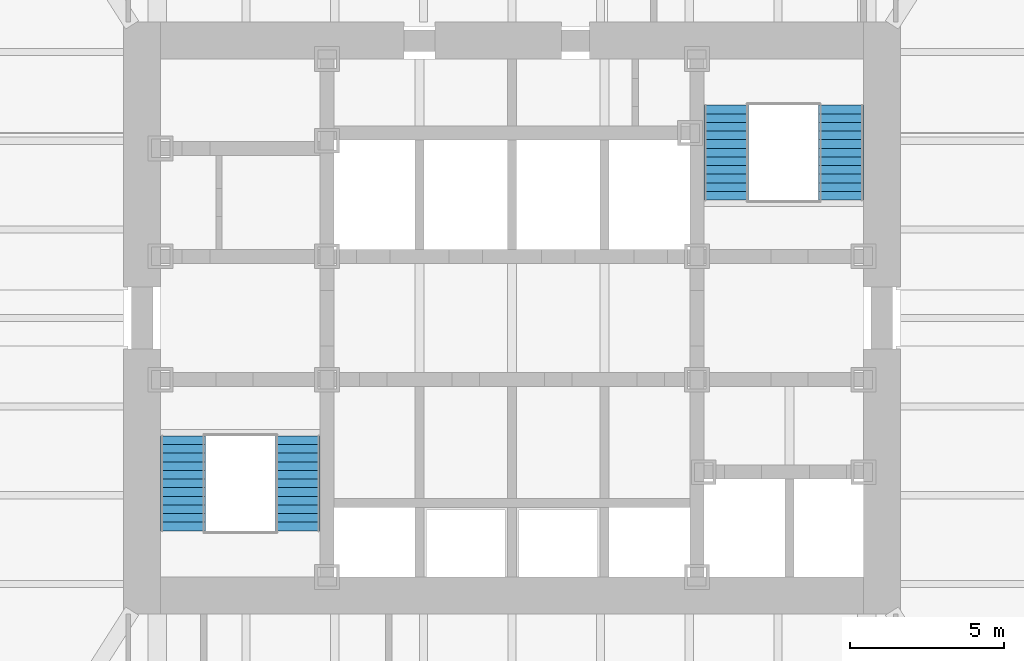
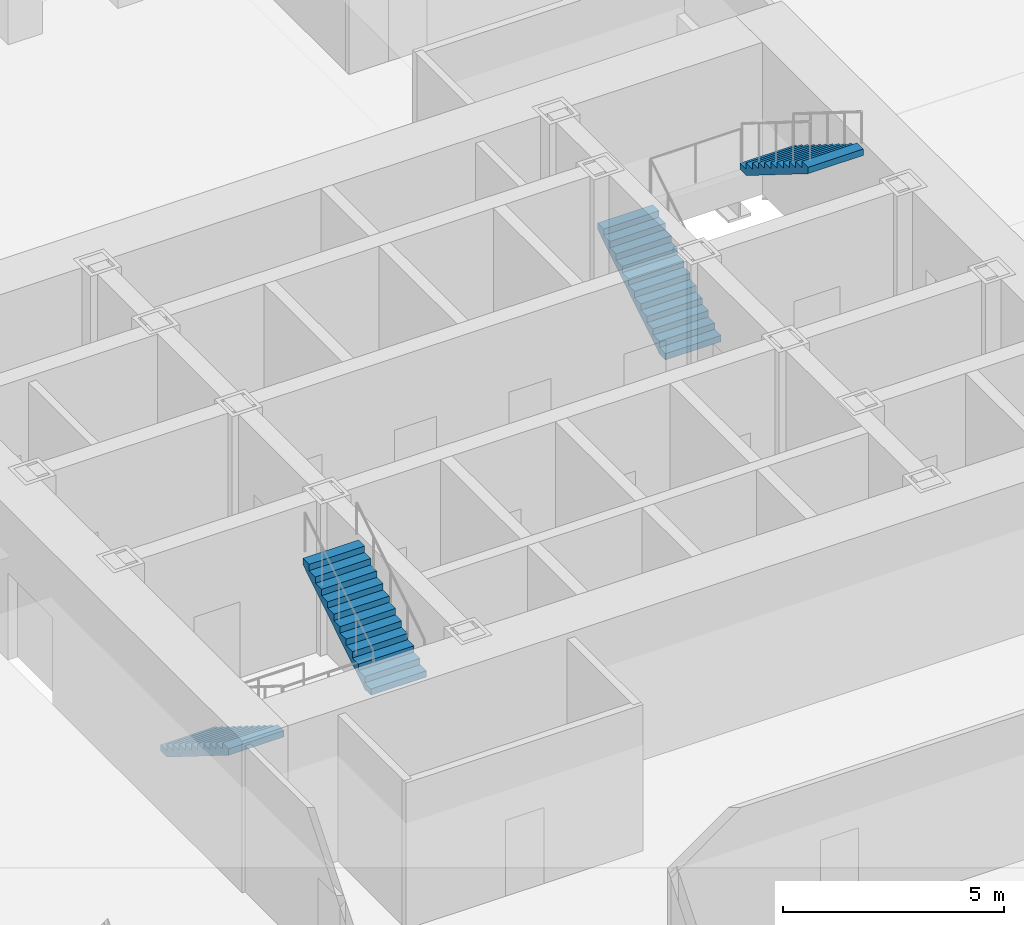
# One storey, part 11 of 17: 4 stair flights, 2 elements without a shape of their own.
"""IFC4 building model written with IfcOpenShell, lengths in metres."""

from ifc_helpers import new_model, si_unit, direction, frame, origin, place, context, subcontext, project, spatial, polyline, outline, extrude, material, type_object, element, aggregate, save


model = new_model("IFC4")

# Units and contexts
model_context = context("Model", 3, precision=1e-05, world=origin(), true_north=direction((0.0, 1.0)))
body_context = subcontext(model_context, "Body", "Model", "MODEL_VIEW")
ifc_project = project(units=[si_unit("LENGTHUNIT", "METRE"), si_unit("AREAUNIT", "SQUARE_METRE"), si_unit("VOLUMEUNIT", "CUBIC_METRE"), si_unit("PLANEANGLEUNIT", "RADIAN"), si_unit("MASSUNIT", "GRAM", prefix="KILO")], contexts=[model_context])

# Site, building, storey
site_placement = place(None, origin())
site = spatial("IfcSite", under=ifc_project, at=site_placement, CompositionType="ELEMENT")
building_placement = place(site_placement, origin())
building = spatial("IfcBuilding", under=site, at=building_placement, Name="Daluyong Arena Tower", CompositionType="ELEMENT")
storey_placement = place(building_placement, frame((0.0, 0.0, 145.89990234375)))
storey = spatial("IfcBuildingStorey", under=building, at=storey_placement, Name="L32", CompositionType="ELEMENT", Elevation=145.89990234375)

# Stair, stair flights
ifc_material_1 = material(Name="Concrete fc' 35 MPa", Category="concrete")
stair_type = type_object("IfcStairType", Name="Core exit stair", PredefinedType="HALF_TURN_STAIR", material=ifc_material_1)
stair_1_placement = place(storey_placement, origin())
stair_1 = element("IfcStair", 1, at=stair_1_placement, inside=storey, type_object=stair_type, Name="exit stair A L32", PredefinedType="HALF_TURN_STAIR")
ifc_material_2 = material(Name="Concrete fc' 35 MPa", Category="concrete")
stair_flight_type = type_object("IfcStairFlightType", Name="Core stair flight", PredefinedType="STRAIGHT", material=ifc_material_2)
stair_flight_1_placement = place(storey_placement, frame((45.324951171875, 76.175048828125, 0.0), z_axis=(0.0, 0.0, 1.0), x_axis=(0.0, -1.0, 0.0)))
stair_flight_1 = element("IfcStairFlight", 2, at=stair_flight_1_placement, type_object=stair_flight_type, Name="STA flight 1", NumberOfRisers=12, NumberOfTreads=11, PredefinedType="STRAIGHT", RiserHeight=0.175, TreadLength=0.28, context=body_context, shape_type="SweptSolid", body=[
    extrude(outline(polyline([(0.0, 0.0), (0.0, 0.175048828125), (0.280029296875, 0.175048828125), (0.280029296875, 0.35009765625), (0.56005859375, 0.35009765625), (0.56005859375, 0.52490234375), (0.840087890625, 0.52490234375), (0.840087890625, 0.699951171875), (1.1201171875, 0.699951171875), (1.1201171875, 0.875), (1.39990234375, 0.875), (1.39990234375, 1.050048828125), (1.679931640625, 1.050048828125), (1.679931640625, 1.22509765625), (1.9599609375, 1.22509765625), (1.9599609375, 1.39990234375), (2.239990234375, 1.39990234375), (2.239990234375, 1.574951171875), (2.52001953125, 1.574951171875), (2.52001953125, 1.75), (2.800048828125, 1.75), (2.800048828125, 1.925048828125), (3.080078125, 1.925048828125), (3.080078125, 2.10009765625), (3.080078125, 1.748291015625), (0.28271484375, 0.0), (0.0, 0.0)])), frame((0.0, 0.72509765625, 0.0), z_axis=(0.0, -1.0, 0.0), x_axis=(1.0, 0.0, 0.0)), (0.0, 0.0, 1.0), 1.449951171875),
])
stair_flight_2_placement = place(storey_placement, frame((49.050048828125, 73.094970703125, 2.10009765625), z_axis=(0.0, 0.0, 1.0), x_axis=(0.0, 1.0, 0.0)))
stair_flight_2 = element("IfcStairFlight", 3, at=stair_flight_2_placement, type_object=stair_flight_type, Name="STA flight 2", NumberOfRisers=12, NumberOfTreads=11, PredefinedType="STRAIGHT", RiserHeight=0.175, TreadLength=0.28, context=body_context, shape_type="SweptSolid", body=[
    extrude(outline(polyline([(0.0, 0.0), (0.0, 0.175048828125), (0.280029296875, 0.175048828125), (0.280029296875, 0.35009765625), (0.56005859375, 0.35009765625), (0.56005859375, 0.52490234375), (0.840087890625, 0.52490234375), (0.840087890625, 0.699951171875), (1.1201171875, 0.699951171875), (1.1201171875, 0.875), (1.39990234375, 0.875), (1.39990234375, 1.050048828125), (1.679931640625, 1.050048828125), (1.679931640625, 1.22509765625), (1.9599609375, 1.22509765625), (1.9599609375, 1.39990234375), (2.239990234375, 1.39990234375), (2.239990234375, 1.574951171875), (2.52001953125, 1.574951171875), (2.52001953125, 1.75), (2.800048828125, 1.75), (2.800048828125, 1.925048828125), (3.080078125, 1.925048828125), (3.080078125, 2.10009765625), (3.080078125, 1.748291015625), (0.28271484375, 0.0), (0.0, 0.0)])), frame((0.0, 0.72509765625, 0.0), z_axis=(0.0, -1.0, 0.0), x_axis=(1.0, 0.0, 0.0)), (0.0, 0.0, 1.0), 1.449951171875),
])
aggregate(stair_1, [stair_flight_1, stair_flight_2])

stair_2_placement = place(storey_placement, origin())
stair_2 = element("IfcStair", 4, at=stair_2_placement, inside=storey, type_object=stair_type, Name="exit stair B L32", PredefinedType="HALF_TURN_STAIR")
stair_flight_3_placement = place(storey_placement, frame((62.949951171875, 83.824951171875, 0.0), z_axis=(0.0, 0.0, 1.0), x_axis=(0.0, 1.0, 0.0)))
stair_flight_3 = element("IfcStairFlight", 5, at=stair_flight_3_placement, type_object=stair_flight_type, Name="STB flight 1", NumberOfRisers=12, NumberOfTreads=11, PredefinedType="STRAIGHT", RiserHeight=0.175, TreadLength=0.28, context=body_context, shape_type="SweptSolid", body=[
    extrude(outline(polyline([(0.0, 0.0), (0.0, 0.175048828125), (0.280029296875, 0.175048828125), (0.280029296875, 0.35009765625), (0.56005859375, 0.35009765625), (0.56005859375, 0.52490234375), (0.840087890625, 0.52490234375), (0.840087890625, 0.699951171875), (1.1201171875, 0.699951171875), (1.1201171875, 0.875), (1.39990234375, 0.875), (1.39990234375, 1.050048828125), (1.679931640625, 1.050048828125), (1.679931640625, 1.22509765625), (1.9599609375, 1.22509765625), (1.9599609375, 1.39990234375), (2.239990234375, 1.39990234375), (2.239990234375, 1.574951171875), (2.52001953125, 1.574951171875), (2.52001953125, 1.75), (2.800048828125, 1.75), (2.800048828125, 1.925048828125), (3.080078125, 1.925048828125), (3.080078125, 2.10009765625), (3.080078125, 1.748291015625), (0.28271484375, 0.0), (0.0, 0.0)])), frame((0.0, 0.72509765625, 0.0), z_axis=(0.0, -1.0, 0.0), x_axis=(1.0, 0.0, 0.0)), (0.0, 0.0, 1.0), 1.449951171875),
])
stair_flight_4_placement = place(storey_placement, frame((66.675048828125, 86.905029296875, 2.10009765625), z_axis=(0.0, 0.0, 1.0), x_axis=(0.0, -1.0, 0.0)))
stair_flight_4 = element("IfcStairFlight", 6, at=stair_flight_4_placement, type_object=stair_flight_type, Name="STB flight 2", NumberOfRisers=12, NumberOfTreads=11, PredefinedType="STRAIGHT", RiserHeight=0.175, TreadLength=0.28, context=body_context, shape_type="SweptSolid", body=[
    extrude(outline(polyline([(0.0, 0.0), (0.0, 0.175048828125), (0.280029296875, 0.175048828125), (0.280029296875, 0.35009765625), (0.56005859375, 0.35009765625), (0.56005859375, 0.52490234375), (0.840087890625, 0.52490234375), (0.840087890625, 0.699951171875), (1.1201171875, 0.699951171875), (1.1201171875, 0.875), (1.39990234375, 0.875), (1.39990234375, 1.050048828125), (1.679931640625, 1.050048828125), (1.679931640625, 1.22509765625), (1.9599609375, 1.22509765625), (1.9599609375, 1.39990234375), (2.239990234375, 1.39990234375), (2.239990234375, 1.574951171875), (2.52001953125, 1.574951171875), (2.52001953125, 1.75), (2.800048828125, 1.75), (2.800048828125, 1.925048828125), (3.080078125, 1.925048828125), (3.080078125, 2.10009765625), (3.080078125, 1.748291015625), (0.28271484375, 0.0), (0.0, 0.0)])), frame((0.0, 0.72509765625, 0.0), z_axis=(0.0, -1.0, 0.0), x_axis=(1.0, 0.0, 0.0)), (0.0, 0.0, 1.0), 1.449951171875),
])
aggregate(stair_2, [stair_flight_3, stair_flight_4])

save(model, "model.ifc")
